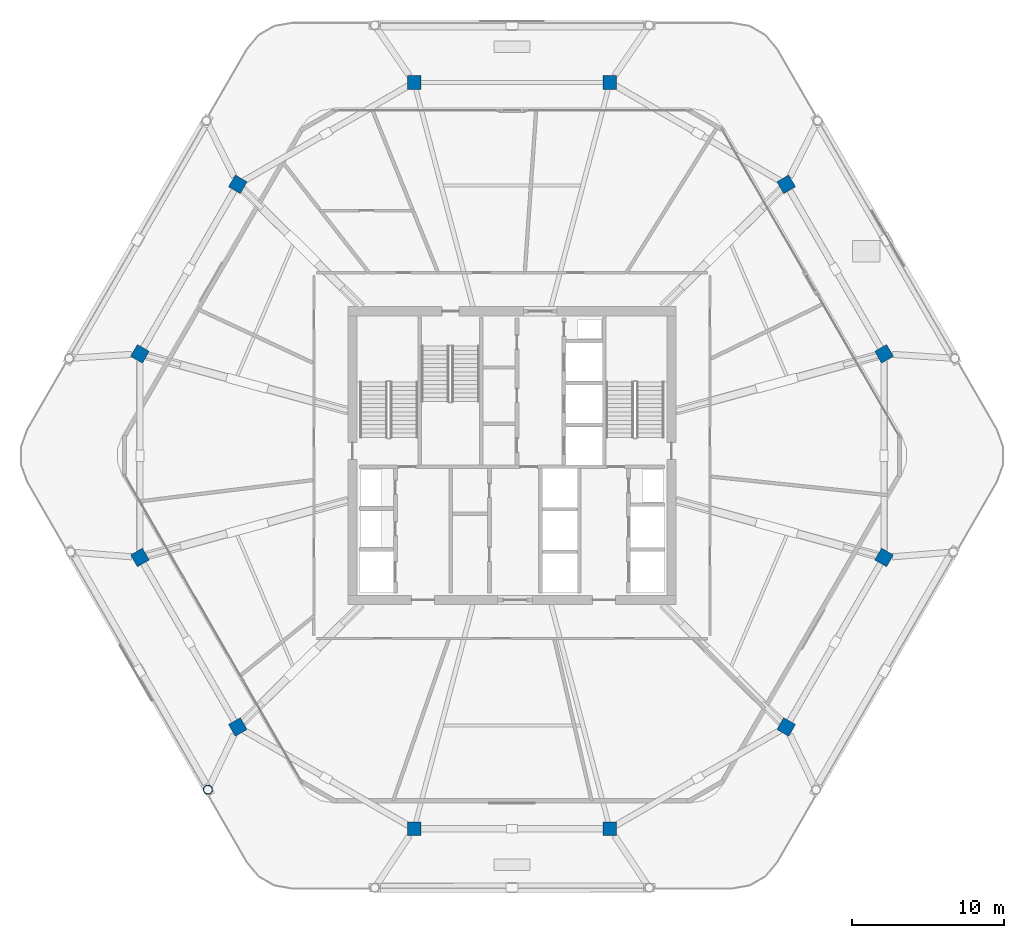
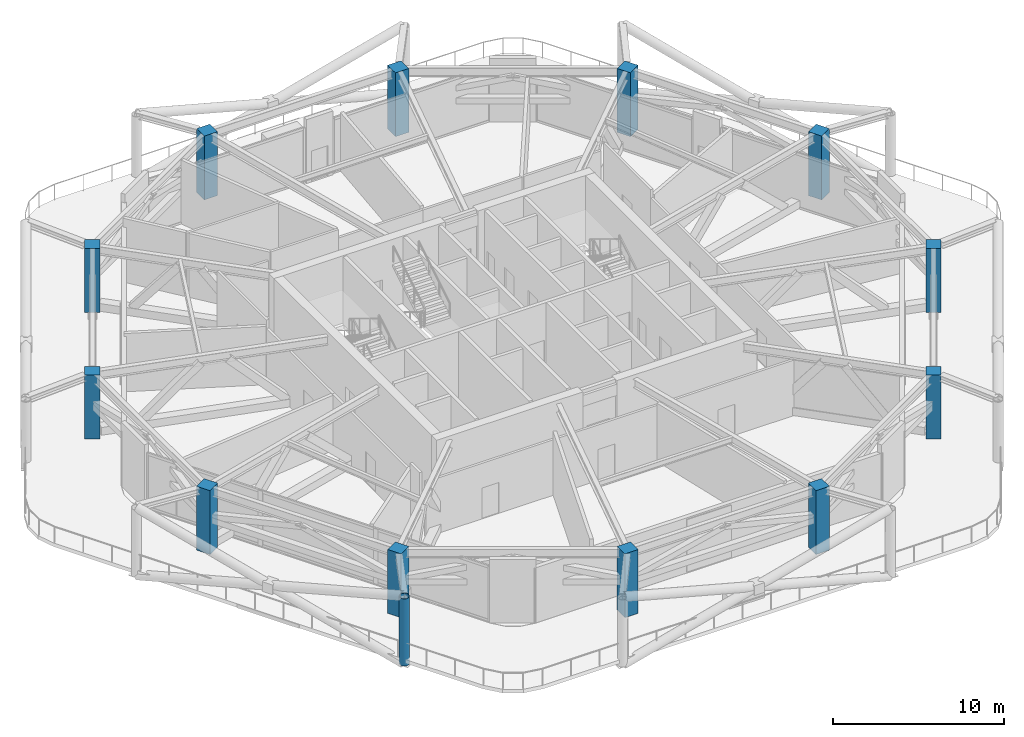
# One storey, part 1 of 20: 12 columns, 1 member.
"""IFC4 building model written with IfcOpenShell, lengths in metres."""

from ifc_helpers import new_model, si_unit, direction, frame, origin, origin_2d, place, context, subcontext, project, spatial, rectangle, hollow_circle, extrude, material, material_profile, profile_set, type_object, element, save


model = new_model("IFC4")

# Units and contexts
model_context = context("Model", 3, precision=1e-05, world=origin(), true_north=direction((0.0, 1.0)))
body_context = subcontext(model_context, "Body", "Model", "MODEL_VIEW")
ifc_project = project(units=[si_unit("LENGTHUNIT", "METRE"), si_unit("AREAUNIT", "SQUARE_METRE"), si_unit("VOLUMEUNIT", "CUBIC_METRE"), si_unit("PLANEANGLEUNIT", "RADIAN"), si_unit("MASSUNIT", "GRAM", prefix="KILO")], contexts=[model_context])

# Site, building, storey
site_placement = place(None, origin())
site = spatial("IfcSite", under=ifc_project, at=site_placement, CompositionType="ELEMENT")
building_placement = place(site_placement, origin())
building = spatial("IfcBuilding", under=site, at=building_placement, Name="Zuhravey Tower", CompositionType="ELEMENT")
storey_placement = place(building_placement, frame((0.0, 0.0, 226.39990234375)))
storey = spatial("IfcBuildingStorey", under=building, at=storey_placement, Name="L57", CompositionType="ELEMENT", Elevation=226.39990234375)

# Columns
ifc_material_1 = material(Name="Concrete C50/60", Category="concrete")
ifc_material_profile_1 = material_profile(ifc_material_1, rectangle(XDim=0.89990234375, YDim=0.89990234375, at=origin_2d()), Name="RC-900x900")
ifc_profile_set_1 = profile_set([ifc_material_profile_1], Name="Concrete C50/60")
column_type = type_object("IfcColumnType", Name="Zone 3 Perimeter Column 900x900", PredefinedType="COLUMN", material=ifc_profile_set_1)
for number, where, z_axis, x_axis, name in (
    (1, (60.484619140625, 38.698974609375, 0.0), (0.0, 0.0, 1.0), (-0.5, 0.866025403784, 0.0), "L57 Perimeter Column PC01"),
    (2, (54.043701171875, 49.854736328125, 0.0), (0.0, 0.0, 1.0), (-0.5, 0.866025403784, 0.0), "L57 Perimeter Column PC02"),
    (3, (42.44091796875, 56.5537109375, 0.0), (0.0, 0.0, 1.0), (-1.0, 0.0, 0.0), "L57 Perimeter Column PC03"),
    (4, (29.55908203125, 56.5537109375, 0.0), (0.0, 0.0, 1.0), (-1.0, 0.0, 0.0), "L57 Perimeter Column PC04"),
    (5, (17.956298828125, 49.854736328125, 0.0), (0.0, 0.0, 1.0), (-0.5, -0.866025403784, 0.0), "L57 Perimeter Column PC05"),
    (6, (11.515380859375, 38.698974609375, 0.0), (0.0, 0.0, 1.0), (-0.5, -0.866025403784, 0.0), "L57 Perimeter Column PC06"),
    (7, (11.515380859375, 25.301025390625, 0.0), (0.0, 0.0, 1.0), (0.5, -0.866025403784, 0.0), "L57 Perimeter Column PC07"),
    (8, (17.956298828125, 14.145263671875, 0.0), (0.0, 0.0, 1.0), (0.5, -0.866025403784, 0.0), "L57 Perimeter Column PC08"),
    (9, (29.55908203125, 7.4462890625, 0.0), (0.0, 0.0, 1.0), (1.0, 0.0, 0.0), "L57 Perimeter Column PC09"),
    (10, (42.44091796875, 7.4462890625, 0.0), (0.0, 0.0, 1.0), (1.0, 0.0, 0.0), "L57 Perimeter Column PC10"),
    (11, (54.043701171875, 14.145263671875, 0.0), (0.0, 0.0, 1.0), (0.5, 0.866025403784, 0.0), "L57 Perimeter Column PC11"),
    (12, (60.484619140625, 25.301025390625, 0.0), (0.0, 0.0, 1.0), (0.5, 0.866025403784, 0.0), "L57 Perimeter Column PC12"),
):
    element("IfcColumn", number, at=place(storey_placement, frame(where, z_axis=z_axis, x_axis=x_axis)), inside=storey, type_object=column_type, Name=name, PredefinedType="COLUMN", context=body_context, shape_type="SweptSolid", body=[
        extrude(rectangle(XDim=0.89990234375, YDim=0.89990234375, at=origin_2d()), origin(), (0.0, 0.0, 1.0), 4.550048828125),
    ])

# Member
ifc_material_2 = material(Name="Steel SM355", Category="steel")
ifc_material_profile_2 = material_profile(ifc_material_2, hollow_circle(Radius=0.3046875, WallThickness=0.028076171875, at=origin_2d()), Name="CHS-609.6x28")
ifc_profile_set_2 = profile_set([ifc_material_profile_2], Name="Steel SM355")
member_type = type_object("IfcMemberType", Name="Exoskeleton Zone 3 Diagrid CHS610x28", PredefinedType="BRACE", material=ifc_profile_set_2)
member_placement = place(storey_placement, frame((15.985595703125, 10.018798828125, -0.475830078125), z_axis=(0.0, 0.0, 1.0), x_axis=(1.0, 0.0, 0.0)))
element("IfcMember", 13, at=member_placement, inside=storey, type_object=member_type, Name="L57 Face 4 Diagrid Brace 4", PredefinedType="BRACE", context=body_context, shape_type="SweptSolid", body=[
    extrude(hollow_circle(Radius=0.3046875, WallThickness=0.028076171875, at=origin_2d()), origin(), (0.0, 0.0, 1.0), 4.7939453125),
])

save(model, "model.ifc")
